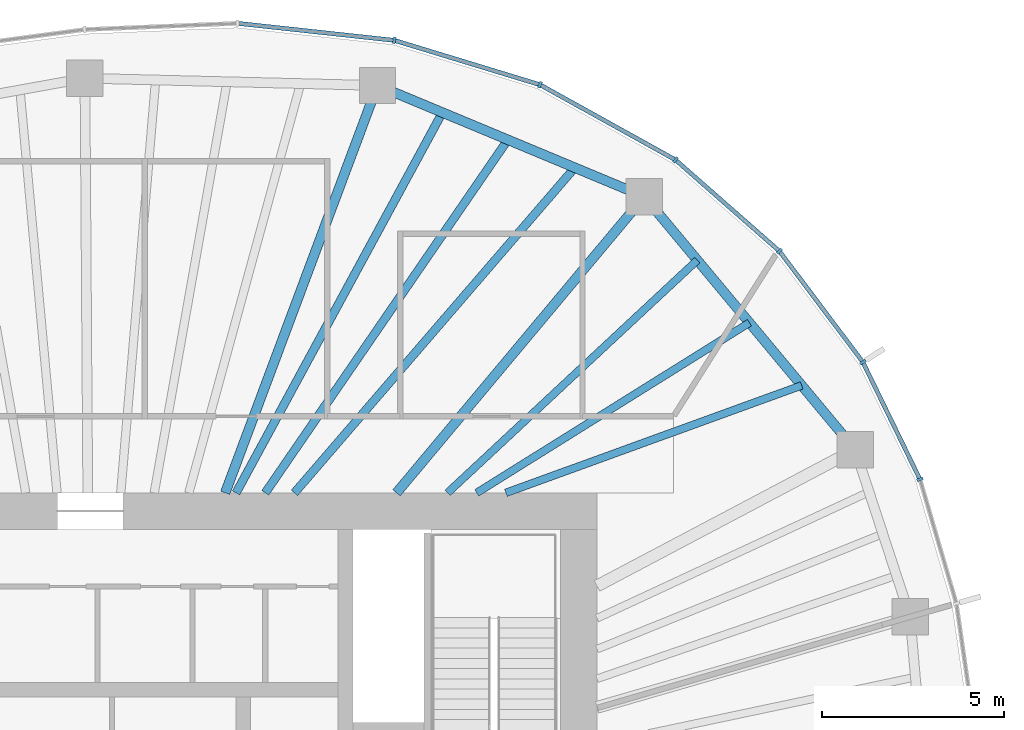
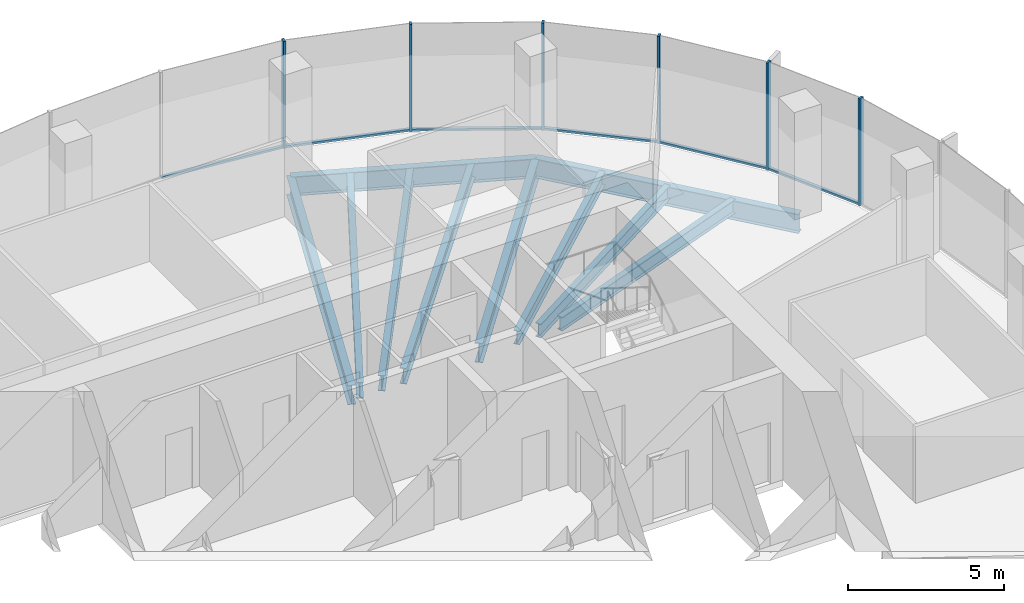
# One storey, part 6 of 11: 12 members, 10 beams, 4 elements without a shape of their own.
"""IFC4 building model written with IfcOpenShell, lengths in metres."""

from ifc_helpers import new_model, si_unit, direction, frame, origin, origin_2d, place, context, subcontext, project, spatial, rectangle, i_section, extrude, material, material_profile, profile_set, type_object, element, aggregate, save


model = new_model("IFC4")

# Units and contexts
model_context = context("Model", 3, precision=1e-05, world=origin(), true_north=direction((0.0, 1.0)))
body_context = subcontext(model_context, "Body", "Model", "MODEL_VIEW")
ifc_project = project(units=[si_unit("LENGTHUNIT", "METRE"), si_unit("AREAUNIT", "SQUARE_METRE"), si_unit("VOLUMEUNIT", "CUBIC_METRE"), si_unit("PLANEANGLEUNIT", "RADIAN"), si_unit("MASSUNIT", "GRAM", prefix="KILO")], contexts=[model_context])

# Site, building, storey
site_placement = place(None, origin())
site = spatial("IfcSite", under=ifc_project, at=site_placement, CompositionType="ELEMENT")
building_placement = place(site_placement, origin())
building = spatial("IfcBuilding", under=site, at=building_placement, Name="Ghaith Harvest Tower", CompositionType="ELEMENT")
storey_placement = place(building_placement, frame((0.0, 0.0, 313.199951171875)))
storey = spatial("IfcBuildingStorey", under=building, at=storey_placement, Name="L70", CompositionType="ELEMENT", Elevation=313.199951171875)

# Curtain wall, member
ifc_material_1 = material(Name="Black anodised aluminium and fritted glass", Category="aluminium")
curtain_wall_type = type_object("IfcCurtainWallType", Name="CW-T CURTAIN WALL", PredefinedType="NOTDEFINED", material=ifc_material_1)
curtain_wall_1_placement = place(storey_placement, origin())
curtain_wall_1 = element("IfcCurtainWall", 1, at=curtain_wall_1_placement, inside=storey, type_object=curtain_wall_type, Name="Curtain wall CW-T bay 02 L70", PredefinedType="NOTDEFINED")
ifc_material_2 = material(Name="Aluminium, black anodised", Category="aluminium")
ifc_material_profile_1 = material_profile(ifc_material_2, rectangle(XDim=0.080078125, YDim=0.179931640625, at=origin_2d()), Name="CW-T MULLION 80x180")
ifc_profile_set_1 = profile_set([ifc_material_profile_1], Name="Aluminium, black anodised")
member_type_1 = type_object("IfcMemberType", Name="CW-T MULLION 80x180", PredefinedType="MULLION", material=ifc_profile_set_1)
member_1_placement = place(storey_placement, frame((22.754150390625, 10.272216796875, 0.0), z_axis=(0.0, 0.0, 1.0), x_axis=(-0.361184273709, 0.932494461338, 0.0)))
member_1 = element("IfcMember", 2, at=member_1_placement, type_object=member_type_1, Name="CW-T mullion 2 bay 02 L70", PredefinedType="MULLION", context=body_context, shape_type="SweptSolid", body=[
    extrude(rectangle(XDim=0.080078125, YDim=0.179931640625, at=origin_2d()), origin(), (0.0, 0.0, 1.0), 4.199951171875),
])

# Curtain wall, members
curtain_wall_2_placement = place(storey_placement, origin())
curtain_wall_2 = element("IfcCurtainWall", 3, at=curtain_wall_2_placement, inside=storey, type_object=curtain_wall_type, Name="Curtain wall CW-T bay 03 L70", PredefinedType="NOTDEFINED")
member_2_placement = place(storey_placement, frame((21.18896484375, 13.48486328125, 0.0), z_axis=(0.0, 0.0, 1.0), x_axis=(-0.524482238522, 0.851421388899, 0.0)))
member_2 = element("IfcMember", 4, at=member_2_placement, type_object=member_type_1, Name="CW-T mullion 1 bay 03 L70", PredefinedType="MULLION", context=body_context, shape_type="SweptSolid", body=[
    extrude(rectangle(XDim=0.080078125, YDim=0.179931640625, at=origin_2d()), origin(), (0.0, 0.0, 1.0), 4.199951171875),
])
member_3_placement = place(storey_placement, frame((18.901123046875, 16.527099609375, 0.0), z_axis=(0.0, 0.0, 1.0), x_axis=(-0.679660897075, 0.733526458274, 0.0)))
member_3 = element("IfcMember", 5, at=member_3_placement, type_object=member_type_1, Name="CW-T mullion 2 bay 03 L70", PredefinedType="MULLION", context=body_context, shape_type="SweptSolid", body=[
    extrude(rectangle(XDim=0.080078125, YDim=0.179931640625, at=origin_2d()), origin(), (0.0, 0.0, 1.0), 4.199951171875),
])

curtain_wall_3_placement = place(storey_placement, origin())
curtain_wall_3 = element("IfcCurtainWall", 6, at=curtain_wall_3_placement, inside=storey, type_object=curtain_wall_type, Name="Curtain wall CW-T bay 04 L70", PredefinedType="NOTDEFINED")
member_4_placement = place(storey_placement, frame((16.04931640625, 19.031982421875, 0.0), z_axis=(0.0, 0.0, 1.0), x_axis=(-0.821112053873, 0.570767023385, 0.0)))
member_4 = element("IfcMember", 7, at=member_4_placement, type_object=member_type_1, Name="CW-T mullion 1 bay 04 L70", PredefinedType="MULLION", context=body_context, shape_type="SweptSolid", body=[
    extrude(rectangle(XDim=0.080078125, YDim=0.179931640625, at=origin_2d()), origin(), (0.0, 0.0, 1.0), 4.199951171875),
])
member_5_placement = place(storey_placement, frame((12.334228515625, 21.091796875, 0.0), z_axis=(0.0, 0.0, 1.0), x_axis=(-0.920319269246, 0.391168049123, 0.0)))
member_5 = element("IfcMember", 8, at=member_5_placement, type_object=member_type_1, Name="CW-T mullion 2 bay 04 L70", PredefinedType="MULLION", context=body_context, shape_type="SweptSolid", body=[
    extrude(rectangle(XDim=0.080078125, YDim=0.179931640625, at=origin_2d()), origin(), (0.0, 0.0, 1.0), 4.199951171875),
])

# Curtain wall, member
curtain_wall_4_placement = place(storey_placement, origin())
curtain_wall_4 = element("IfcCurtainWall", 9, at=curtain_wall_4_placement, inside=storey, type_object=curtain_wall_type, Name="Curtain wall CW-T bay 05 L70", PredefinedType="NOTDEFINED")
member_6_placement = place(storey_placement, frame((8.33984375, 22.308837890625, 0.0), z_axis=(0.0, 0.0, 1.0), x_axis=(-0.980000193436, 0.198996534809, 0.0)))
member_6 = element("IfcMember", 10, at=member_6_placement, type_object=member_type_1, Name="CW-T mullion 1 bay 05 L70", PredefinedType="MULLION", context=body_context, shape_type="SweptSolid", body=[
    extrude(rectangle(XDim=0.080078125, YDim=0.179931640625, at=origin_2d()), origin(), (0.0, 0.0, 1.0), 4.199951171875),
])

# Member
ifc_material_3 = material(Name="Aluminium, black anodised", Category="aluminium")
ifc_material_profile_2 = material_profile(ifc_material_3, rectangle(XDim=0.1201171875, YDim=0.080078125, at=origin_2d()), Name="CW-T TRANSOM 120x80")
ifc_profile_set_2 = profile_set([ifc_material_profile_2], Name="Aluminium, black anodised")
member_type_2 = type_object("IfcMemberType", Name="CW-T TRANSOM 120x80", PredefinedType="USERDEFINED", material=ifc_profile_set_2)
member_7_placement = place(storey_placement, frame((22.736572265625, 10.308349609375, 0.0400390625), z_axis=(-0.437965078712, 0.898991985408, 0.0), x_axis=(-0.898991985408, -0.437965078712, 0.0)))
member_7 = element("IfcMember", 11, at=member_7_placement, type_object=member_type_2, Name="CW-T transom 2 bay 02 L70", ObjectType="TRANSOM", PredefinedType="USERDEFINED", context=body_context, shape_type="SweptSolid", body=[
    extrude(rectangle(XDim=0.1201171875, YDim=0.080078125, at=origin_2d()), origin(), (0.0, 0.0, 1.0), 3.493408203125),
])

aggregate(curtain_wall_1, [member_1, member_7])

member_8_placement = place(storey_placement, frame((21.1650390625, 13.516845703125, 0.0400390625), z_axis=(-0.601079103045, 0.799189534392, 0.0), x_axis=(-0.799189534392, -0.601079103045, 0.0)))
member_8 = element("IfcMember", 12, at=member_8_placement, type_object=member_type_2, Name="CW-T transom 1 bay 03 L70", ObjectType="TRANSOM", PredefinedType="USERDEFINED", context=body_context, shape_type="SweptSolid", body=[
    extrude(rectangle(XDim=0.1201171875, YDim=0.080078125, at=origin_2d()), origin(), (0.0, 0.0, 1.0), 3.7265625),
])

member_9_placement = place(storey_placement, frame((18.87109375, 16.553466796875, 0.0400390625), z_axis=(-0.751325799984, 0.659931467865, 0.0), x_axis=(-0.659931467865, -0.751325799984, 0.0)))
member_9 = element("IfcMember", 13, at=member_9_placement, type_object=member_type_2, Name="CW-T transom 2 bay 03 L70", ObjectType="TRANSOM", PredefinedType="USERDEFINED", context=body_context, shape_type="SweptSolid", body=[
    extrude(rectangle(XDim=0.1201171875, YDim=0.080078125, at=origin_2d()), origin(), (0.0, 0.0, 1.0), 3.7158203125),
])

aggregate(curtain_wall_2, [member_2, member_8, member_3, member_9])

member_10_placement = place(storey_placement, frame((16.01416015625, 19.051513671875, 0.0400390625), z_axis=(-0.874552130553, 0.484931511603, 0.0), x_axis=(-0.484931511603, -0.874552130553, 0.0)))
member_10 = element("IfcMember", 14, at=member_10_placement, type_object=member_type_2, Name="CW-T transom 1 bay 04 L70", ObjectType="TRANSOM", PredefinedType="USERDEFINED", context=body_context, shape_type="SweptSolid", body=[
    extrude(rectangle(XDim=0.1201171875, YDim=0.080078125, at=origin_2d()), origin(), (0.0, 0.0, 1.0), 4.16748046875),
])

member_11_placement = place(storey_placement, frame((12.296142578125, 21.103515625, 0.0400390625), z_axis=(-0.956593713342, 0.291424891858, 0.0), x_axis=(-0.291424891858, -0.956593713342, 0.0)))
member_11 = element("IfcMember", 15, at=member_11_placement, type_object=member_type_2, Name="CW-T transom 2 bay 04 L70", ObjectType="TRANSOM", PredefinedType="USERDEFINED", context=body_context, shape_type="SweptSolid", body=[
    extrude(rectangle(XDim=0.1201171875, YDim=0.080078125, at=origin_2d()), origin(), (0.0, 0.0, 1.0), 4.095703125),
])

aggregate(curtain_wall_3, [member_4, member_10, member_5, member_11])

member_12_placement = place(storey_placement, frame((8.300048828125, 22.313232421875, 0.0400390625), z_axis=(-0.994144463069, 0.108059180768, 0.0), x_axis=(-0.108059180768, -0.994144463069, 0.0)))
member_12 = element("IfcMember", 16, at=member_12_placement, type_object=member_type_2, Name="CW-T transom 1 bay 05 L70", ObjectType="TRANSOM", PredefinedType="USERDEFINED", context=body_context, shape_type="SweptSolid", body=[
    extrude(rectangle(XDim=0.1201171875, YDim=0.080078125, at=origin_2d()), origin(), (0.0, 0.0, 1.0), 4.24755859375),
])

aggregate(curtain_wall_4, [member_6, member_12])

# Beams
ifc_material_4 = material(Name="Steel ASTM A992 Grade 50", Category="steel")
ifc_material_profile_3 = material_profile(ifc_material_4, i_section(OverallWidth=0.26611328125, OverallDepth=0.758056640625, WebThickness=0.013916015625, FlangeThickness=0.019287109375, at=origin_2d()), Name="W760X161")
ifc_profile_set_3 = profile_set([ifc_material_profile_3], Name="Steel ASTM A992 Grade 50")
beam_type_1 = type_object("IfcBeamType", Name="E760-161 W760X161", PredefinedType="SPANDREL", material=ifc_profile_set_3)
beam_1_placement = place(storey_placement, frame((20.97705078125, 11.087890625, -0.549072265625), z_axis=(-0.640173759088, 0.76823014662, 0.0), x_axis=(-0.76823014662, -0.640173759088, 0.0)))
element("IfcBeam", 17, at=beam_1_placement, inside=storey, type_object=beam_type_1, Name="Edge beam E03 L70", PredefinedType="SPANDREL", context=body_context, shape_type="SweptSolid", body=[
    extrude(i_section(OverallWidth=0.26611328125, OverallDepth=0.758056640625, WebThickness=0.013916015625, FlangeThickness=0.019287109375, at=origin_2d()), origin(), (0.0, 0.0, 1.0), 9.02734375),
])
beam_2_placement = place(storey_placement, frame((15.197998046875, 18.02294921875, -0.549072265625), z_axis=(-0.923119729219, 0.384512633766, 0.0), x_axis=(-0.384512633766, -0.923119729219, 0.0)))
element("IfcBeam", 18, at=beam_2_placement, inside=storey, type_object=beam_type_1, Name="Edge beam E04 L70", PredefinedType="SPANDREL", context=body_context, shape_type="SweptSolid", body=[
    extrude(i_section(OverallWidth=0.26611328125, OverallDepth=0.758056640625, WebThickness=0.013916015625, FlangeThickness=0.019287109375, at=origin_2d()), origin(), (0.0, 0.0, 1.0), 7.9296875),
])
ifc_material_5 = material(Name="Steel ASTM A992 Grade 50", Category="steel")
ifc_material_profile_4 = material_profile(ifc_material_5, i_section(OverallWidth=0.26611328125, OverallDepth=0.758056640625, WebThickness=0.013916015625, FlangeThickness=0.019287109375, at=origin_2d()), Name="W760X161")
ifc_profile_set_4 = profile_set([ifc_material_profile_4], Name="Steel ASTM A992 Grade 50")
beam_type_2 = type_object("IfcBeamType", Name="G760-161 W760X161", PredefinedType="BEAM", material=ifc_profile_set_4)
beam_3_placement = place(storey_placement, frame((8.39990234375, 9.89990234375, -0.549072265625), z_axis=(0.641792628883, 0.766878231215, 0.0), x_axis=(-0.766878231215, 0.641792628883, 0.0)))
element("IfcBeam", 19, at=beam_3_placement, inside=storey, type_object=beam_type_2, Name="Radial girder G04 L70", PredefinedType="BEAM", context=body_context, shape_type="SweptSolid", body=[
    extrude(i_section(OverallWidth=0.26611328125, OverallDepth=0.758056640625, WebThickness=0.013916015625, FlangeThickness=0.019287109375, at=origin_2d()), origin(), (0.0, 0.0, 1.0), 10.59228515625),
])
beam_4_placement = place(storey_placement, frame((3.700927734375, 9.89990234375, -0.549072265625), z_axis=(0.350201332531, 0.936674450753, 0.0), x_axis=(-0.936674450753, 0.350201332531, 0.0)))
element("IfcBeam", 20, at=beam_4_placement, inside=storey, type_object=beam_type_2, Name="Radial girder G05 L70", PredefinedType="BEAM", context=body_context, shape_type="SweptSolid", body=[
    extrude(i_section(OverallWidth=0.26611328125, OverallDepth=0.758056640625, WebThickness=0.013916015625, FlangeThickness=0.019287109375, at=origin_2d()), origin(), (0.0, 0.0, 1.0), 11.927490234375),
])
ifc_material_6 = material(Name="Steel ASTM A992 Grade 50", Category="steel")
ifc_material_profile_5 = material_profile(ifc_material_6, i_section(OverallWidth=0.2109375, OverallDepth=0.5390625, WebThickness=0.01171875, FlangeThickness=0.018798828125, at=origin_2d()), Name="W530X109")
ifc_profile_set_5 = profile_set([ifc_material_profile_5], Name="Steel ASTM A992 Grade 50")
beam_type_3 = type_object("IfcBeamType", Name="J530-109 W530X109", PredefinedType="JOIST", material=ifc_profile_set_5)
beam_5_placement = place(storey_placement, frame((11.39990234375, 9.89990234375, -0.439453125), z_axis=(0.939925501564, 0.341379629605, 0.0), x_axis=(-0.341379629605, 0.939925501564, 0.0)))
element("IfcBeam", 21, at=beam_5_placement, inside=storey, type_object=beam_type_3, Name="Joist J03.1 L70", PredefinedType="JOIST", context=body_context, shape_type="SweptSolid", body=[
    extrude(i_section(OverallWidth=0.2109375, OverallDepth=0.5390625, WebThickness=0.01171875, FlangeThickness=0.018798828125, at=origin_2d()), origin(), (0.0, 0.0, 1.0), 8.630615234375),
])
beam_6_placement = place(storey_placement, frame((10.60009765625, 9.89990234375, -0.439453125), z_axis=(0.84837619421, 0.52939383553, 0.0), x_axis=(-0.52939383553, 0.84837619421, 0.0)))
element("IfcBeam", 22, at=beam_6_placement, inside=storey, type_object=beam_type_3, Name="Joist J03.2 L70", PredefinedType="JOIST", context=body_context, shape_type="SweptSolid", body=[
    extrude(i_section(OverallWidth=0.2109375, OverallDepth=0.5390625, WebThickness=0.01171875, FlangeThickness=0.018798828125, at=origin_2d()), origin(), (0.0, 0.0, 1.0), 8.814697265625),
])
beam_7_placement = place(storey_placement, frame((9.800048828125, 9.89990234375, -0.439453125), z_axis=(0.73164904944, 0.681681500742, 0.0), x_axis=(-0.681681500742, 0.73164904944, 0.0)))
element("IfcBeam", 23, at=beam_7_placement, inside=storey, type_object=beam_type_3, Name="Joist J03.3 L70", PredefinedType="JOIST", context=body_context, shape_type="SweptSolid", body=[
    extrude(i_section(OverallWidth=0.2109375, OverallDepth=0.5390625, WebThickness=0.01171875, FlangeThickness=0.018798828125, at=origin_2d()), origin(), (0.0, 0.0, 1.0), 9.361572265625),
])
ifc_material_7 = material(Name="Steel ASTM A992 Grade 50", Category="steel")
ifc_material_profile_6 = material_profile(ifc_material_7, i_section(OverallWidth=0.22998046875, OverallDepth=0.616943359375, WebThickness=0.01318359375, FlangeThickness=0.022216796875, at=origin_2d()), Name="W610X140")
ifc_profile_set_6 = profile_set([ifc_material_profile_6], Name="Steel ASTM A992 Grade 50")
beam_type_4 = type_object("IfcBeamType", Name="J610-140 W610X140", PredefinedType="JOIST", material=ifc_profile_set_6)
beam_8_placement = place(storey_placement, frame((5.60009765625, 9.89990234375, -0.478515625), z_axis=(0.652992938501, 0.757363995888, 0.0), x_axis=(-0.757363995888, 0.652992938501, 0.0)))
element("IfcBeam", 24, at=beam_8_placement, inside=storey, type_object=beam_type_4, Name="Joist J04.1 L70", PredefinedType="JOIST", context=body_context, shape_type="SweptSolid", body=[
    extrude(i_section(OverallWidth=0.22998046875, OverallDepth=0.616943359375, WebThickness=0.01318359375, FlangeThickness=0.022216796875, at=origin_2d()), origin(), (0.0, 0.0, 1.0), 11.775390625),
])
beam_9_placement = place(storey_placement, frame((4.800048828125, 9.89990234375, -0.478515625), z_axis=(0.566228035119, 0.824248634967, 0.0), x_axis=(-0.824248634967, 0.566228035119, 0.0)))
element("IfcBeam", 25, at=beam_9_placement, inside=storey, type_object=beam_type_4, Name="Joist J04.2 L70", PredefinedType="JOIST", context=body_context, shape_type="SweptSolid", body=[
    extrude(i_section(OverallWidth=0.22998046875, OverallDepth=0.616943359375, WebThickness=0.01318359375, FlangeThickness=0.022216796875, at=origin_2d()), origin(), (0.0, 0.0, 1.0), 11.748046875),
])
beam_10_placement = place(storey_placement, frame((4.0, 9.89990234375, -0.478515625), z_axis=(0.476764926531, 0.879030832696, 0.0), x_axis=(-0.879030832696, 0.476764926531, 0.0)))
element("IfcBeam", 26, at=beam_10_placement, inside=storey, type_object=beam_type_4, Name="Joist J04.3 L70", PredefinedType="JOIST", context=body_context, shape_type="SweptSolid", body=[
    extrude(i_section(OverallWidth=0.22998046875, OverallDepth=0.616943359375, WebThickness=0.01318359375, FlangeThickness=0.022216796875, at=origin_2d()), origin(), (0.0, 0.0, 1.0), 11.866455078125),
])

save(model, "model.ifc")
